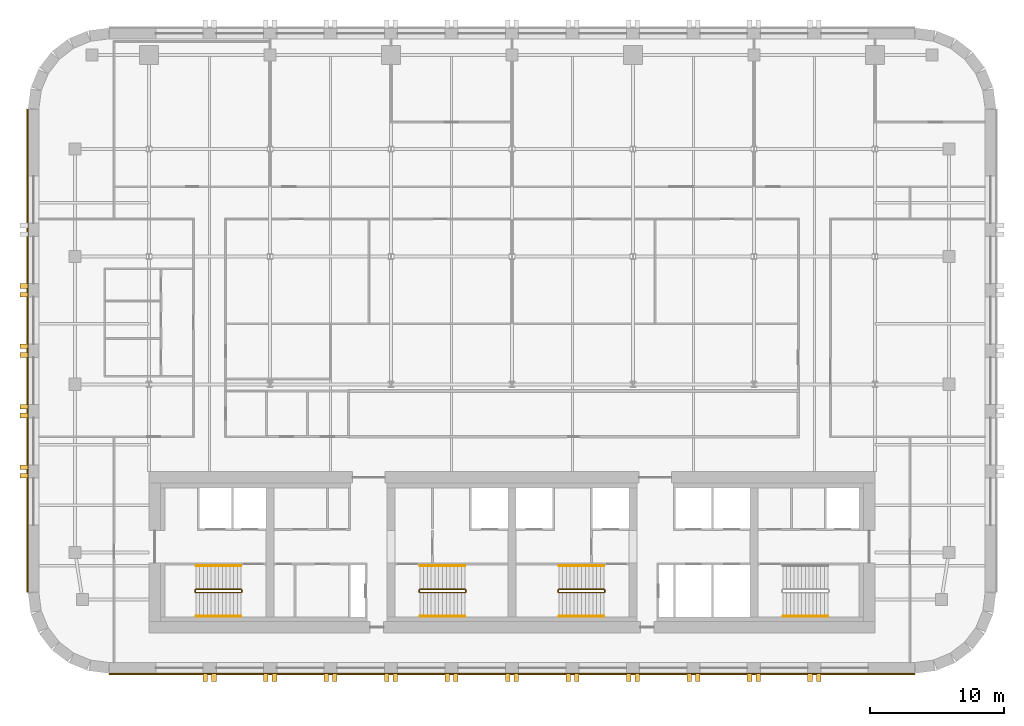
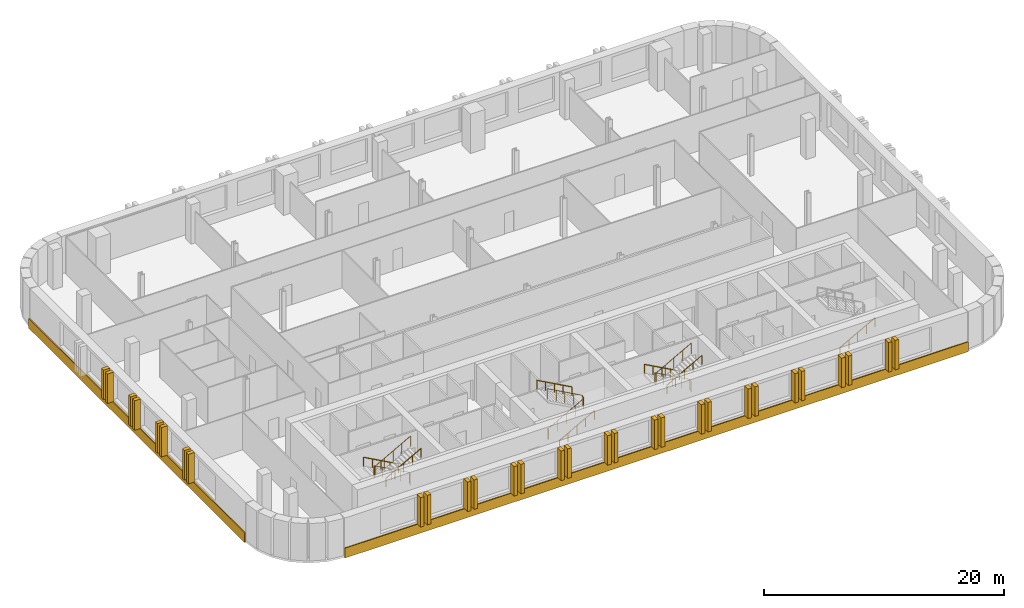
# One storey, part 8 of 9: 32 coverings, 10 railings.
"""IFC4 building model written with IfcOpenShell, lengths in metres."""

from ifc_helpers import new_model, si_unit, direction, frame, origin, origin_2d, place, context, subcontext, project, spatial, polyline, circle, outline, extrude, material, layer, layer_set, type_object, element, save


model = new_model("IFC4")

# Units and contexts
model_context = context("Model", 3, precision=1e-05, world=origin(), true_north=direction((0.0, 1.0)))
body_context = subcontext(model_context, "Body", "Model", "MODEL_VIEW")
ifc_project = project(units=[si_unit("LENGTHUNIT", "METRE"), si_unit("AREAUNIT", "SQUARE_METRE"), si_unit("VOLUMEUNIT", "CUBIC_METRE"), si_unit("PLANEANGLEUNIT", "RADIAN"), si_unit("MASSUNIT", "GRAM", prefix="KILO")], contexts=[model_context])

# Site, building, storey
site_placement = place(None, origin())
site = spatial("IfcSite", under=ifc_project, at=site_placement, CompositionType="ELEMENT")
building_placement = place(site_placement, origin())
building = spatial("IfcBuilding", under=site, at=building_placement, Name="Zellij Exchange Tower", CompositionType="ELEMENT")
storey_placement = place(building_placement, frame((0.0, 0.0, 184.5)))
storey = spatial("IfcBuildingStorey", under=building, at=storey_placement, Name="L42", CompositionType="ELEMENT", Elevation=184.5)

# Railings
ifc_material_1 = material(Name="Stainless steel", Category="steel")
railing_type_1 = type_object("IfcRailingType", Name="CORE-RG stair guard", PredefinedType="GUARDRAIL", material=ifc_material_1)
railing_1_placement = place(storey_placement, frame((-20.10009765625, -10.800048828125, 0.0)))
element("IfcRailing", 1, at=railing_1_placement, inside=storey, type_object=railing_type_1, Name="ST1 stair guard L42", PredefinedType="GUARDRAIL", context=body_context, shape_type="SweptSolid", body=[
    extrude(circle(Radius=0.02392578125, at=origin_2d()), frame((0.0, 0.0, 1.076171875), z_axis=(0.0, -1.0, 0.0), x_axis=(1.0, 0.0, 0.0)), (0.0, 0.0, 1.0), 0.14990234375),
    extrude(circle(Radius=0.02392578125, at=origin_2d()), frame((0.0, -0.14990234375, 1.076171875), z_axis=(-0.193691321961, 0.777613689637, 0.598164376644), x_axis=(-0.970351222016, -0.241699205484, 0.0)), (0.0, 0.0, 1.0), 0.257080078125),
    extrude(circle(Radius=0.02392578125, at=origin_2d()), frame((-0.0498046875, 0.050048828125, 1.22998046875), z_axis=(-0.876421534553, 0.0, 0.481544695509), x_axis=(0.0, -1.0, 0.0)), (0.0, 0.0, 1.0), 3.833984375),
    extrude(circle(Radius=0.02392578125, at=origin_2d()), frame((-3.409912109375, 0.050048828125, 3.076171875), z_axis=(-0.707106781187, -0.707106781187, 0.0), x_axis=(0.707106781187, -0.707106781187, 0.0)), (0.0, 0.0, 1.0), 0.07080078125),
    extrude(circle(Radius=0.02392578125, at=origin_2d()), frame((-3.4599609375, 0.0, 3.076171875), z_axis=(0.0, -1.0, 0.0), x_axis=(1.0, 0.0, 0.0)), (0.0, 0.0, 1.0), 0.14990234375),
    extrude(circle(Radius=0.02392578125, at=origin_2d()), frame((-3.4599609375, -0.14990234375, 3.076171875), z_axis=(0.295599637079, -0.295599637079, 0.908428152975), x_axis=(0.707106781187, 0.707106781187, 0.0)), (0.0, 0.0, 1.0), 0.16943359375),
    extrude(circle(Radius=0.02392578125, at=origin_2d()), frame((-3.409912109375, -0.199951171875, 3.22998046875), z_axis=(0.876421534553, 0.0, 0.481544695509), x_axis=(0.0, 1.0, 0.0)), (0.0, 0.0, 1.0), 3.833984375),
    extrude(circle(Radius=0.02099609375, at=origin_2d()), origin(), (0.0, 0.0, 1.0), 1.052001953125),
    extrude(circle(Radius=0.02099609375, at=origin_2d()), frame((0.0, -0.14990234375, 0.0)), (0.0, 0.0, 1.0), 1.052001953125),
    extrude(circle(Radius=0.02099609375, at=origin_2d()), frame((-0.0498046875, 0.050048828125, 0.15380859375)), (0.0, 0.0, 1.0), 1.052001953125),
    extrude(circle(Radius=0.02099609375, at=origin_2d()), frame((-0.889892578125, 0.050048828125, 0.615234375)), (0.0, 0.0, 1.0), 1.052001953125),
    extrude(circle(Radius=0.02099609375, at=origin_2d()), frame((-1.72998046875, 0.050048828125, 1.076904296875)), (0.0, 0.0, 1.0), 1.052001953125),
    extrude(circle(Radius=0.02099609375, at=origin_2d()), frame((-2.56982421875, 0.050048828125, 1.53857421875)), (0.0, 0.0, 1.0), 1.052001953125),
    extrude(circle(Radius=0.02099609375, at=origin_2d()), frame((-3.409912109375, 0.050048828125, 2.0)), (0.0, 0.0, 1.0), 1.052001953125),
    extrude(circle(Radius=0.02099609375, at=origin_2d()), frame((-3.4599609375, 0.0, 2.0)), (0.0, 0.0, 1.0), 1.052001953125),
    extrude(circle(Radius=0.02099609375, at=origin_2d()), frame((-3.4599609375, -0.14990234375, 2.0)), (0.0, 0.0, 1.0), 1.052001953125),
    extrude(circle(Radius=0.02099609375, at=origin_2d()), frame((-3.409912109375, -0.199951171875, 2.15380859375)), (0.0, 0.0, 1.0), 1.052001953125),
    extrude(circle(Radius=0.02099609375, at=origin_2d()), frame((-2.56982421875, -0.199951171875, 2.615234375)), (0.0, 0.0, 1.0), 1.052001953125),
    extrude(circle(Radius=0.02099609375, at=origin_2d()), frame((-1.72998046875, -0.199951171875, 3.076904296875)), (0.0, 0.0, 1.0), 1.052001953125),
    extrude(circle(Radius=0.02099609375, at=origin_2d()), frame((-0.889892578125, -0.199951171875, 3.53857421875)), (0.0, 0.0, 1.0), 1.052001953125),
    extrude(circle(Radius=0.02099609375, at=origin_2d()), frame((-0.0498046875, -0.199951171875, 4.0)), (0.0, 0.0, 1.0), 1.052001953125),
])
railing_2_placement = place(storey_placement, frame((-6.89990234375, -10.949951171875, 0.0)))
element("IfcRailing", 2, at=railing_2_placement, inside=storey, type_object=railing_type_1, Name="ST2 stair guard L42", PredefinedType="GUARDRAIL", context=body_context, shape_type="SweptSolid", body=[
    extrude(circle(Radius=0.02392578125, at=origin_2d()), frame((0.0, 0.0, 1.076171875), z_axis=(0.0, 1.0, 0.0), x_axis=(-1.0, 0.0, 0.0)), (0.0, 0.0, 1.0), 0.14990234375),
    extrude(circle(Radius=0.02392578125, at=origin_2d()), frame((0.0, 0.14990234375, 1.076171875), z_axis=(0.193691321961, -0.777613689637, 0.598164376644), x_axis=(0.970351222016, 0.241699205484, 0.0)), (0.0, 0.0, 1.0), 0.257080078125),
    extrude(circle(Radius=0.02392578125, at=origin_2d()), frame((0.0498046875, -0.050048828125, 1.22998046875), z_axis=(0.876421534553, 0.0, 0.481544695509), x_axis=(0.0, 1.0, 0.0)), (0.0, 0.0, 1.0), 3.833984375),
    extrude(circle(Radius=0.02392578125, at=origin_2d()), frame((3.409912109375, -0.050048828125, 3.076171875), z_axis=(0.707106781187, 0.707106781187, 0.0), x_axis=(-0.707106781187, 0.707106781187, 0.0)), (0.0, 0.0, 1.0), 0.07080078125),
    extrude(circle(Radius=0.02392578125, at=origin_2d()), frame((3.4599609375, 0.0, 3.076171875), z_axis=(0.0, 1.0, 0.0), x_axis=(-1.0, 0.0, 0.0)), (0.0, 0.0, 1.0), 0.14990234375),
    extrude(circle(Radius=0.02392578125, at=origin_2d()), frame((3.4599609375, 0.14990234375, 3.076171875), z_axis=(-0.295599637079, 0.295599637079, 0.908428152975), x_axis=(-0.707106781187, -0.707106781187, 0.0)), (0.0, 0.0, 1.0), 0.16943359375),
    extrude(circle(Radius=0.02392578125, at=origin_2d()), frame((3.409912109375, 0.199951171875, 3.22998046875), z_axis=(-0.876421534553, 0.0, 0.481544695509), x_axis=(0.0, -1.0, 0.0)), (0.0, 0.0, 1.0), 3.833984375),
    extrude(circle(Radius=0.02099609375, at=origin_2d()), origin(), (0.0, 0.0, 1.0), 1.052001953125),
    extrude(circle(Radius=0.02099609375, at=origin_2d()), frame((0.0, 0.14990234375, 0.0)), (0.0, 0.0, 1.0), 1.052001953125),
    extrude(circle(Radius=0.02099609375, at=origin_2d()), frame((0.0498046875, -0.050048828125, 0.15380859375)), (0.0, 0.0, 1.0), 1.052001953125),
    extrude(circle(Radius=0.02099609375, at=origin_2d()), frame((0.889892578125, -0.050048828125, 0.615234375)), (0.0, 0.0, 1.0), 1.052001953125),
    extrude(circle(Radius=0.02099609375, at=origin_2d()), frame((1.72998046875, -0.050048828125, 1.076904296875)), (0.0, 0.0, 1.0), 1.052001953125),
    extrude(circle(Radius=0.02099609375, at=origin_2d()), frame((2.56982421875, -0.050048828125, 1.53857421875)), (0.0, 0.0, 1.0), 1.052001953125),
    extrude(circle(Radius=0.02099609375, at=origin_2d()), frame((3.409912109375, -0.050048828125, 2.0)), (0.0, 0.0, 1.0), 1.052001953125),
    extrude(circle(Radius=0.02099609375, at=origin_2d()), frame((3.4599609375, 0.0, 2.0)), (0.0, 0.0, 1.0), 1.052001953125),
    extrude(circle(Radius=0.02099609375, at=origin_2d()), frame((3.4599609375, 0.14990234375, 2.0)), (0.0, 0.0, 1.0), 1.052001953125),
    extrude(circle(Radius=0.02099609375, at=origin_2d()), frame((3.409912109375, 0.199951171875, 2.15380859375)), (0.0, 0.0, 1.0), 1.052001953125),
    extrude(circle(Radius=0.02099609375, at=origin_2d()), frame((2.56982421875, 0.199951171875, 2.615234375)), (0.0, 0.0, 1.0), 1.052001953125),
    extrude(circle(Radius=0.02099609375, at=origin_2d()), frame((1.72998046875, 0.199951171875, 3.076904296875)), (0.0, 0.0, 1.0), 1.052001953125),
    extrude(circle(Radius=0.02099609375, at=origin_2d()), frame((0.889892578125, 0.199951171875, 3.53857421875)), (0.0, 0.0, 1.0), 1.052001953125),
    extrude(circle(Radius=0.02099609375, at=origin_2d()), frame((0.0498046875, 0.199951171875, 4.0)), (0.0, 0.0, 1.0), 1.052001953125),
])
railing_3_placement = place(storey_placement, frame((6.89990234375, -10.800048828125, 0.0)))
element("IfcRailing", 3, at=railing_3_placement, inside=storey, type_object=railing_type_1, Name="ST3 stair guard L42", PredefinedType="GUARDRAIL", context=body_context, shape_type="SweptSolid", body=[
    extrude(circle(Radius=0.02392578125, at=origin_2d()), frame((0.0, 0.0, 1.076171875), z_axis=(0.0, -1.0, 0.0), x_axis=(1.0, 0.0, 0.0)), (0.0, 0.0, 1.0), 0.14990234375),
    extrude(circle(Radius=0.02392578125, at=origin_2d()), frame((0.0, -0.14990234375, 1.076171875), z_axis=(-0.193691321961, 0.777613689637, 0.598164376644), x_axis=(-0.970351222016, -0.241699205484, 0.0)), (0.0, 0.0, 1.0), 0.257080078125),
    extrude(circle(Radius=0.02392578125, at=origin_2d()), frame((-0.0498046875, 0.050048828125, 1.22998046875), z_axis=(-0.876421534553, 0.0, 0.481544695509), x_axis=(0.0, -1.0, 0.0)), (0.0, 0.0, 1.0), 3.833984375),
    extrude(circle(Radius=0.02392578125, at=origin_2d()), frame((-3.409912109375, 0.050048828125, 3.076171875), z_axis=(-0.707106781187, -0.707106781187, 0.0), x_axis=(0.707106781187, -0.707106781187, 0.0)), (0.0, 0.0, 1.0), 0.07080078125),
    extrude(circle(Radius=0.02392578125, at=origin_2d()), frame((-3.4599609375, 0.0, 3.076171875), z_axis=(0.0, -1.0, 0.0), x_axis=(1.0, 0.0, 0.0)), (0.0, 0.0, 1.0), 0.14990234375),
    extrude(circle(Radius=0.02392578125, at=origin_2d()), frame((-3.4599609375, -0.14990234375, 3.076171875), z_axis=(0.295599637079, -0.295599637079, 0.908428152975), x_axis=(0.707106781187, 0.707106781187, 0.0)), (0.0, 0.0, 1.0), 0.16943359375),
    extrude(circle(Radius=0.02392578125, at=origin_2d()), frame((-3.409912109375, -0.199951171875, 3.22998046875), z_axis=(0.876421534553, 0.0, 0.481544695509), x_axis=(0.0, 1.0, 0.0)), (0.0, 0.0, 1.0), 3.833984375),
    extrude(circle(Radius=0.02099609375, at=origin_2d()), origin(), (0.0, 0.0, 1.0), 1.052001953125),
    extrude(circle(Radius=0.02099609375, at=origin_2d()), frame((0.0, -0.14990234375, 0.0)), (0.0, 0.0, 1.0), 1.052001953125),
    extrude(circle(Radius=0.02099609375, at=origin_2d()), frame((-0.0498046875, 0.050048828125, 0.15380859375)), (0.0, 0.0, 1.0), 1.052001953125),
    extrude(circle(Radius=0.02099609375, at=origin_2d()), frame((-0.889892578125, 0.050048828125, 0.615234375)), (0.0, 0.0, 1.0), 1.052001953125),
    extrude(circle(Radius=0.02099609375, at=origin_2d()), frame((-1.72998046875, 0.050048828125, 1.076904296875)), (0.0, 0.0, 1.0), 1.052001953125),
    extrude(circle(Radius=0.02099609375, at=origin_2d()), frame((-2.56982421875, 0.050048828125, 1.53857421875)), (0.0, 0.0, 1.0), 1.052001953125),
    extrude(circle(Radius=0.02099609375, at=origin_2d()), frame((-3.409912109375, 0.050048828125, 2.0)), (0.0, 0.0, 1.0), 1.052001953125),
    extrude(circle(Radius=0.02099609375, at=origin_2d()), frame((-3.4599609375, 0.0, 2.0)), (0.0, 0.0, 1.0), 1.052001953125),
    extrude(circle(Radius=0.02099609375, at=origin_2d()), frame((-3.4599609375, -0.14990234375, 2.0)), (0.0, 0.0, 1.0), 1.052001953125),
    extrude(circle(Radius=0.02099609375, at=origin_2d()), frame((-3.409912109375, -0.199951171875, 2.15380859375)), (0.0, 0.0, 1.0), 1.052001953125),
    extrude(circle(Radius=0.02099609375, at=origin_2d()), frame((-2.56982421875, -0.199951171875, 2.615234375)), (0.0, 0.0, 1.0), 1.052001953125),
    extrude(circle(Radius=0.02099609375, at=origin_2d()), frame((-1.72998046875, -0.199951171875, 3.076904296875)), (0.0, 0.0, 1.0), 1.052001953125),
    extrude(circle(Radius=0.02099609375, at=origin_2d()), frame((-0.889892578125, -0.199951171875, 3.53857421875)), (0.0, 0.0, 1.0), 1.052001953125),
    extrude(circle(Radius=0.02099609375, at=origin_2d()), frame((-0.0498046875, -0.199951171875, 4.0)), (0.0, 0.0, 1.0), 1.052001953125),
])
railing_type_2 = type_object("IfcRailingType", Name="CORE-RH stair handrail", PredefinedType="HANDRAIL", material=ifc_material_1)
railing_4_placement = place(storey_placement, frame((-20.14990234375, -9.0, 0.15380859375)))
element("IfcRailing", 4, at=railing_4_placement, inside=storey, type_object=railing_type_2, Name="ST1 stair handrail L42", PredefinedType="HANDRAIL", context=body_context, shape_type="SweptSolid", body=[
    extrude(circle(Radius=0.02392578125, at=origin_2d()), frame((0.0, 0.0, 0.8759765625), z_axis=(-0.876421534553, 0.0, 0.481544695509), x_axis=(0.0, -1.0, 0.0)), (0.0, 0.0, 1.0), 3.833984375),
    extrude(circle(Radius=0.02099609375, at=origin_2d()), origin(), (0.0, 0.0, 1.0), 0.851806640625),
    extrude(circle(Radius=0.02099609375, at=origin_2d()), frame((-0.840087890625, 0.0, 0.46142578125)), (0.0, 0.0, 1.0), 0.851806640625),
    extrude(circle(Radius=0.02099609375, at=origin_2d()), frame((-1.68017578125, 0.0, 0.923095703125)), (0.0, 0.0, 1.0), 0.851806640625),
    extrude(circle(Radius=0.02099609375, at=origin_2d()), frame((-2.52001953125, 0.0, 1.384765625)), (0.0, 0.0, 1.0), 0.851806640625),
    extrude(circle(Radius=0.02099609375, at=origin_2d()), frame((-3.360107421875, 0.0, 1.84619140625)), (0.0, 0.0, 1.0), 0.851806640625),
])
for number, where, name in (
    (5, (-23.510009765625, -12.75, 2.15380859375), "ST1 stair handrail L42"),
    (6, (-6.85009765625, -12.75, 0.15380859375), "ST2 stair handrail L42"),
):
    element("IfcRailing", number, at=place(storey_placement, frame(where)), inside=storey, type_object=railing_type_2, Name=name, PredefinedType="HANDRAIL", context=body_context, shape_type="SweptSolid", body=[
        extrude(circle(Radius=0.02392578125, at=origin_2d()), frame((0.0, 0.0, 0.8759765625), z_axis=(0.876421534553, 0.0, 0.481544695509), x_axis=(0.0, 1.0, 0.0)), (0.0, 0.0, 1.0), 3.833984375),
        extrude(circle(Radius=0.02099609375, at=origin_2d()), origin(), (0.0, 0.0, 1.0), 0.851806640625),
        extrude(circle(Radius=0.02099609375, at=origin_2d()), frame((0.840087890625, 0.0, 0.46142578125)), (0.0, 0.0, 1.0), 0.851806640625),
        extrude(circle(Radius=0.02099609375, at=origin_2d()), frame((1.68017578125, 0.0, 0.923095703125)), (0.0, 0.0, 1.0), 0.851806640625),
        extrude(circle(Radius=0.02099609375, at=origin_2d()), frame((2.52001953125, 0.0, 1.384765625)), (0.0, 0.0, 1.0), 0.851806640625),
        extrude(circle(Radius=0.02099609375, at=origin_2d()), frame((3.360107421875, 0.0, 1.84619140625)), (0.0, 0.0, 1.0), 0.851806640625),
    ])
for number, where, name in (
    (7, (-3.489990234375, -9.0, 2.15380859375), "ST2 stair handrail L42"),
    (8, (6.85009765625, -9.0, 0.15380859375), "ST3 stair handrail L42"),
):
    element("IfcRailing", number, at=place(storey_placement, frame(where)), inside=storey, type_object=railing_type_2, Name=name, PredefinedType="HANDRAIL", context=body_context, shape_type="SweptSolid", body=[
        extrude(circle(Radius=0.02392578125, at=origin_2d()), frame((0.0, 0.0, 0.8759765625), z_axis=(-0.876421534553, 0.0, 0.481544695509), x_axis=(0.0, -1.0, 0.0)), (0.0, 0.0, 1.0), 3.833984375),
        extrude(circle(Radius=0.02099609375, at=origin_2d()), origin(), (0.0, 0.0, 1.0), 0.851806640625),
        extrude(circle(Radius=0.02099609375, at=origin_2d()), frame((-0.840087890625, 0.0, 0.46142578125)), (0.0, 0.0, 1.0), 0.851806640625),
        extrude(circle(Radius=0.02099609375, at=origin_2d()), frame((-1.68017578125, 0.0, 0.923095703125)), (0.0, 0.0, 1.0), 0.851806640625),
        extrude(circle(Radius=0.02099609375, at=origin_2d()), frame((-2.52001953125, 0.0, 1.384765625)), (0.0, 0.0, 1.0), 0.851806640625),
        extrude(circle(Radius=0.02099609375, at=origin_2d()), frame((-3.360107421875, 0.0, 1.84619140625)), (0.0, 0.0, 1.0), 0.851806640625),
    ])
for number, where, name in (
    (9, (3.489990234375, -12.75, 2.15380859375), "ST3 stair handrail L42"),
    (10, (20.14990234375, -12.75, 0.15380859375), "ST4 stair handrail L42"),
):
    element("IfcRailing", number, at=place(storey_placement, frame(where)), inside=storey, type_object=railing_type_2, Name=name, PredefinedType="HANDRAIL", context=body_context, shape_type="SweptSolid", body=[
        extrude(circle(Radius=0.02392578125, at=origin_2d()), frame((0.0, 0.0, 0.8759765625), z_axis=(0.876421534553, 0.0, 0.481544695509), x_axis=(0.0, 1.0, 0.0)), (0.0, 0.0, 1.0), 3.833984375),
        extrude(circle(Radius=0.02099609375, at=origin_2d()), origin(), (0.0, 0.0, 1.0), 0.851806640625),
        extrude(circle(Radius=0.02099609375, at=origin_2d()), frame((0.840087890625, 0.0, 0.46142578125)), (0.0, 0.0, 1.0), 0.851806640625),
        extrude(circle(Radius=0.02099609375, at=origin_2d()), frame((1.68017578125, 0.0, 0.923095703125)), (0.0, 0.0, 1.0), 0.851806640625),
        extrude(circle(Radius=0.02099609375, at=origin_2d()), frame((2.52001953125, 0.0, 1.384765625)), (0.0, 0.0, 1.0), 0.851806640625),
        extrude(circle(Radius=0.02099609375, at=origin_2d()), frame((3.360107421875, 0.0, 1.84619140625)), (0.0, 0.0, 1.0), 0.851806640625),
    ])

# Coverings
ifc_material_2 = material(Name="Limestone cladding", Category="masonry")
covering_type_1 = type_object("IfcCoveringType", Name="ENV-CV3 Stone pier 350x600", PredefinedType="CLADDING", material=ifc_material_2)
covering_1_placement = place(storey_placement, frame((0.0, 0.0, 0.800048828125)))
element("IfcCovering", 11, at=covering_1_placement, inside=storey, type_object=covering_type_1, Name="Stone pier", PredefinedType="CLADDING", context=body_context, shape_type="SweptSolid", body=[
    extrude(outline(polyline([(-23.0, -17.0), (-22.64990234375, -17.0), (-22.64990234375, -17.60009765625), (-23.0, -17.60009765625), (-23.0, -17.0)])), origin(), (0.0, 0.0, 1.0), 3.0),
])
covering_2_placement = place(storey_placement, frame((0.0, 0.0, 0.800048828125)))
element("IfcCovering", 12, at=covering_2_placement, inside=storey, type_object=covering_type_1, Name="Stone pier", PredefinedType="CLADDING", context=body_context, shape_type="SweptSolid", body=[
    extrude(outline(polyline([(-22.35009765625, -17.0), (-22.0, -17.0), (-22.0, -17.60009765625), (-22.35009765625, -17.60009765625), (-22.35009765625, -17.0)])), origin(), (0.0, 0.0, 1.0), 3.0),
])
covering_3_placement = place(storey_placement, frame((0.0, 0.0, 0.800048828125)))
element("IfcCovering", 13, at=covering_3_placement, inside=storey, type_object=covering_type_1, Name="Stone pier", PredefinedType="CLADDING", context=body_context, shape_type="SweptSolid", body=[
    extrude(outline(polyline([(-18.5, -17.0), (-18.14990234375, -17.0), (-18.14990234375, -17.60009765625), (-18.5, -17.60009765625), (-18.5, -17.0)])), origin(), (0.0, 0.0, 1.0), 3.0),
])
covering_4_placement = place(storey_placement, frame((0.0, 0.0, 0.800048828125)))
element("IfcCovering", 14, at=covering_4_placement, inside=storey, type_object=covering_type_1, Name="Stone pier", PredefinedType="CLADDING", context=body_context, shape_type="SweptSolid", body=[
    extrude(outline(polyline([(-17.85009765625, -17.0), (-17.5, -17.0), (-17.5, -17.60009765625), (-17.85009765625, -17.60009765625), (-17.85009765625, -17.0)])), origin(), (0.0, 0.0, 1.0), 3.0),
])
covering_5_placement = place(storey_placement, frame((0.0, 0.0, 0.800048828125)))
element("IfcCovering", 15, at=covering_5_placement, inside=storey, type_object=covering_type_1, Name="Stone pier", PredefinedType="CLADDING", context=body_context, shape_type="SweptSolid", body=[
    extrude(outline(polyline([(-14.0, -17.0), (-13.64990234375, -17.0), (-13.64990234375, -17.60009765625), (-14.0, -17.60009765625), (-14.0, -17.0)])), origin(), (0.0, 0.0, 1.0), 3.0),
])
covering_6_placement = place(storey_placement, frame((0.0, 0.0, 0.800048828125)))
element("IfcCovering", 16, at=covering_6_placement, inside=storey, type_object=covering_type_1, Name="Stone pier", PredefinedType="CLADDING", context=body_context, shape_type="SweptSolid", body=[
    extrude(outline(polyline([(-13.35009765625, -17.0), (-13.0, -17.0), (-13.0, -17.60009765625), (-13.35009765625, -17.60009765625), (-13.35009765625, -17.0)])), origin(), (0.0, 0.0, 1.0), 3.0),
])
covering_7_placement = place(storey_placement, frame((0.0, 0.0, 0.800048828125)))
element("IfcCovering", 17, at=covering_7_placement, inside=storey, type_object=covering_type_1, Name="Stone pier", PredefinedType="CLADDING", context=body_context, shape_type="SweptSolid", body=[
    extrude(outline(polyline([(-9.5, -17.0), (-9.14990234375, -17.0), (-9.14990234375, -17.60009765625), (-9.5, -17.60009765625), (-9.5, -17.0)])), origin(), (0.0, 0.0, 1.0), 3.0),
])
covering_8_placement = place(storey_placement, frame((0.0, 0.0, 0.800048828125)))
element("IfcCovering", 18, at=covering_8_placement, inside=storey, type_object=covering_type_1, Name="Stone pier", PredefinedType="CLADDING", context=body_context, shape_type="SweptSolid", body=[
    extrude(outline(polyline([(-8.85009765625, -17.0), (-8.5, -17.0), (-8.5, -17.60009765625), (-8.85009765625, -17.60009765625), (-8.85009765625, -17.0)])), origin(), (0.0, 0.0, 1.0), 3.0),
])
covering_9_placement = place(storey_placement, frame((0.0, 0.0, 0.800048828125)))
element("IfcCovering", 19, at=covering_9_placement, inside=storey, type_object=covering_type_1, Name="Stone pier", PredefinedType="CLADDING", context=body_context, shape_type="SweptSolid", body=[
    extrude(outline(polyline([(-5.0, -17.0), (-4.64990234375, -17.0), (-4.64990234375, -17.60009765625), (-5.0, -17.60009765625), (-5.0, -17.0)])), origin(), (0.0, 0.0, 1.0), 3.0),
])
covering_10_placement = place(storey_placement, frame((0.0, 0.0, 0.800048828125)))
element("IfcCovering", 20, at=covering_10_placement, inside=storey, type_object=covering_type_1, Name="Stone pier", PredefinedType="CLADDING", context=body_context, shape_type="SweptSolid", body=[
    extrude(outline(polyline([(-4.35009765625, -17.0), (-4.0, -17.0), (-4.0, -17.60009765625), (-4.35009765625, -17.60009765625), (-4.35009765625, -17.0)])), origin(), (0.0, 0.0, 1.0), 3.0),
])
covering_11_placement = place(storey_placement, frame((0.0, 0.0, 0.800048828125)))
element("IfcCovering", 21, at=covering_11_placement, inside=storey, type_object=covering_type_1, Name="Stone pier", PredefinedType="CLADDING", context=body_context, shape_type="SweptSolid", body=[
    extrude(outline(polyline([(-0.5, -17.0), (-0.14990234375, -17.0), (-0.14990234375, -17.60009765625), (-0.5, -17.60009765625), (-0.5, -17.0)])), origin(), (0.0, 0.0, 1.0), 3.0),
])
covering_12_placement = place(storey_placement, frame((0.0, 0.0, 0.800048828125)))
element("IfcCovering", 22, at=covering_12_placement, inside=storey, type_object=covering_type_1, Name="Stone pier", PredefinedType="CLADDING", context=body_context, shape_type="SweptSolid", body=[
    extrude(outline(polyline([(0.14990234375, -17.0), (0.5, -17.0), (0.5, -17.60009765625), (0.14990234375, -17.60009765625), (0.14990234375, -17.0)])), origin(), (0.0, 0.0, 1.0), 3.0),
])
covering_13_placement = place(storey_placement, frame((0.0, 0.0, 0.800048828125)))
element("IfcCovering", 23, at=covering_13_placement, inside=storey, type_object=covering_type_1, Name="Stone pier", PredefinedType="CLADDING", context=body_context, shape_type="SweptSolid", body=[
    extrude(outline(polyline([(4.0, -17.0), (4.35009765625, -17.0), (4.35009765625, -17.60009765625), (4.0, -17.60009765625), (4.0, -17.0)])), origin(), (0.0, 0.0, 1.0), 3.0),
])
covering_14_placement = place(storey_placement, frame((0.0, 0.0, 0.800048828125)))
element("IfcCovering", 24, at=covering_14_placement, inside=storey, type_object=covering_type_1, Name="Stone pier", PredefinedType="CLADDING", context=body_context, shape_type="SweptSolid", body=[
    extrude(outline(polyline([(4.64990234375, -17.0), (5.0, -17.0), (5.0, -17.60009765625), (4.64990234375, -17.60009765625), (4.64990234375, -17.0)])), origin(), (0.0, 0.0, 1.0), 3.0),
])
covering_15_placement = place(storey_placement, frame((0.0, 0.0, 0.800048828125)))
element("IfcCovering", 25, at=covering_15_placement, inside=storey, type_object=covering_type_1, Name="Stone pier", PredefinedType="CLADDING", context=body_context, shape_type="SweptSolid", body=[
    extrude(outline(polyline([(8.5, -17.0), (8.85009765625, -17.0), (8.85009765625, -17.60009765625), (8.5, -17.60009765625), (8.5, -17.0)])), origin(), (0.0, 0.0, 1.0), 3.0),
])
covering_16_placement = place(storey_placement, frame((0.0, 0.0, 0.800048828125)))
element("IfcCovering", 26, at=covering_16_placement, inside=storey, type_object=covering_type_1, Name="Stone pier", PredefinedType="CLADDING", context=body_context, shape_type="SweptSolid", body=[
    extrude(outline(polyline([(9.14990234375, -17.0), (9.5, -17.0), (9.5, -17.60009765625), (9.14990234375, -17.60009765625), (9.14990234375, -17.0)])), origin(), (0.0, 0.0, 1.0), 3.0),
])
covering_17_placement = place(storey_placement, frame((0.0, 0.0, 0.800048828125)))
element("IfcCovering", 27, at=covering_17_placement, inside=storey, type_object=covering_type_1, Name="Stone pier", PredefinedType="CLADDING", context=body_context, shape_type="SweptSolid", body=[
    extrude(outline(polyline([(13.0, -17.0), (13.35009765625, -17.0), (13.35009765625, -17.60009765625), (13.0, -17.60009765625), (13.0, -17.0)])), origin(), (0.0, 0.0, 1.0), 3.0),
])
covering_18_placement = place(storey_placement, frame((0.0, 0.0, 0.800048828125)))
element("IfcCovering", 28, at=covering_18_placement, inside=storey, type_object=covering_type_1, Name="Stone pier", PredefinedType="CLADDING", context=body_context, shape_type="SweptSolid", body=[
    extrude(outline(polyline([(13.64990234375, -17.0), (14.0, -17.0), (14.0, -17.60009765625), (13.64990234375, -17.60009765625), (13.64990234375, -17.0)])), origin(), (0.0, 0.0, 1.0), 3.0),
])
covering_19_placement = place(storey_placement, frame((0.0, 0.0, 0.800048828125)))
element("IfcCovering", 29, at=covering_19_placement, inside=storey, type_object=covering_type_1, Name="Stone pier", PredefinedType="CLADDING", context=body_context, shape_type="SweptSolid", body=[
    extrude(outline(polyline([(17.5, -17.0), (17.85009765625, -17.0), (17.85009765625, -17.60009765625), (17.5, -17.60009765625), (17.5, -17.0)])), origin(), (0.0, 0.0, 1.0), 3.0),
])
covering_20_placement = place(storey_placement, frame((0.0, 0.0, 0.800048828125)))
element("IfcCovering", 30, at=covering_20_placement, inside=storey, type_object=covering_type_1, Name="Stone pier", PredefinedType="CLADDING", context=body_context, shape_type="SweptSolid", body=[
    extrude(outline(polyline([(18.14990234375, -17.0), (18.5, -17.0), (18.5, -17.60009765625), (18.14990234375, -17.60009765625), (18.14990234375, -17.0)])), origin(), (0.0, 0.0, 1.0), 3.0),
])
covering_21_placement = place(storey_placement, frame((0.0, 0.0, 0.800048828125)))
element("IfcCovering", 31, at=covering_21_placement, inside=storey, type_object=covering_type_1, Name="Stone pier", PredefinedType="CLADDING", context=body_context, shape_type="SweptSolid", body=[
    extrude(outline(polyline([(22.0, -17.0), (22.35009765625, -17.0), (22.35009765625, -17.60009765625), (22.0, -17.60009765625), (22.0, -17.0)])), origin(), (0.0, 0.0, 1.0), 3.0),
])
covering_22_placement = place(storey_placement, frame((0.0, 0.0, 0.800048828125)))
element("IfcCovering", 32, at=covering_22_placement, inside=storey, type_object=covering_type_1, Name="Stone pier", PredefinedType="CLADDING", context=body_context, shape_type="SweptSolid", body=[
    extrude(outline(polyline([(22.64990234375, -17.0), (23.0, -17.0), (23.0, -17.60009765625), (22.64990234375, -17.60009765625), (22.64990234375, -17.0)])), origin(), (0.0, 0.0, 1.0), 3.0),
])
covering_23_placement = place(storey_placement, frame((0.0, 0.0, 0.800048828125)))
element("IfcCovering", 33, at=covering_23_placement, inside=storey, type_object=covering_type_1, Name="Stone pier", PredefinedType="CLADDING", context=body_context, shape_type="SweptSolid", body=[
    extrude(outline(polyline([(-36.0, 11.993408203125), (-36.0, 11.6435546875), (-36.60009765625, 11.6435546875), (-36.60009765625, 11.993408203125), (-36.0, 11.993408203125)])), origin(), (0.0, 0.0, 1.0), 3.0),
])
covering_24_placement = place(storey_placement, frame((0.0, 0.0, 0.800048828125)))
element("IfcCovering", 34, at=covering_24_placement, inside=storey, type_object=covering_type_1, Name="Stone pier", PredefinedType="CLADDING", context=body_context, shape_type="SweptSolid", body=[
    extrude(outline(polyline([(-36.0, 11.343505859375), (-36.0, 10.993408203125), (-36.60009765625, 10.993408203125), (-36.60009765625, 11.343505859375), (-36.0, 11.343505859375)])), origin(), (0.0, 0.0, 1.0), 3.0),
])
covering_25_placement = place(storey_placement, frame((0.0, 0.0, 0.800048828125)))
element("IfcCovering", 35, at=covering_25_placement, inside=storey, type_object=covering_type_1, Name="Stone pier", PredefinedType="CLADDING", context=body_context, shape_type="SweptSolid", body=[
    extrude(outline(polyline([(-36.0, 7.5), (-36.0, 7.14990234375), (-36.60009765625, 7.14990234375), (-36.60009765625, 7.5), (-36.0, 7.5)])), origin(), (0.0, 0.0, 1.0), 3.0),
])
covering_26_placement = place(storey_placement, frame((0.0, 0.0, 0.800048828125)))
element("IfcCovering", 36, at=covering_26_placement, inside=storey, type_object=covering_type_1, Name="Stone pier", PredefinedType="CLADDING", context=body_context, shape_type="SweptSolid", body=[
    extrude(outline(polyline([(-36.0, 6.85009765625), (-36.0, 6.5), (-36.60009765625, 6.5), (-36.60009765625, 6.85009765625), (-36.0, 6.85009765625)])), origin(), (0.0, 0.0, 1.0), 3.0),
])
covering_27_placement = place(storey_placement, frame((0.0, 0.0, 0.800048828125)))
element("IfcCovering", 37, at=covering_27_placement, inside=storey, type_object=covering_type_1, Name="Stone pier", PredefinedType="CLADDING", context=body_context, shape_type="SweptSolid", body=[
    extrude(outline(polyline([(-36.0, 3.006591796875), (-36.0, 2.656494140625), (-36.60009765625, 2.656494140625), (-36.60009765625, 3.006591796875), (-36.0, 3.006591796875)])), origin(), (0.0, 0.0, 1.0), 3.0),
])
covering_28_placement = place(storey_placement, frame((0.0, 0.0, 0.800048828125)))
element("IfcCovering", 38, at=covering_28_placement, inside=storey, type_object=covering_type_1, Name="Stone pier", PredefinedType="CLADDING", context=body_context, shape_type="SweptSolid", body=[
    extrude(outline(polyline([(-36.0, 2.356689453125), (-36.0, 2.006591796875), (-36.60009765625, 2.006591796875), (-36.60009765625, 2.356689453125), (-36.0, 2.356689453125)])), origin(), (0.0, 0.0, 1.0), 3.0),
])
covering_29_placement = place(storey_placement, frame((0.0, 0.0, 0.800048828125)))
element("IfcCovering", 39, at=covering_29_placement, inside=storey, type_object=covering_type_1, Name="Stone pier", PredefinedType="CLADDING", context=body_context, shape_type="SweptSolid", body=[
    extrude(outline(polyline([(-36.0, -1.48681640625), (-36.0, -1.8369140625), (-36.60009765625, -1.8369140625), (-36.60009765625, -1.48681640625), (-36.0, -1.48681640625)])), origin(), (0.0, 0.0, 1.0), 3.0),
])
covering_30_placement = place(storey_placement, frame((0.0, 0.0, 0.800048828125)))
element("IfcCovering", 40, at=covering_30_placement, inside=storey, type_object=covering_type_1, Name="Stone pier", PredefinedType="CLADDING", context=body_context, shape_type="SweptSolid", body=[
    extrude(outline(polyline([(-36.0, -2.136962890625), (-36.0, -2.48681640625), (-36.60009765625, -2.48681640625), (-36.60009765625, -2.136962890625), (-36.0, -2.136962890625)])), origin(), (0.0, 0.0, 1.0), 3.0),
])
ifc_layer = layer(ifc_material_2, 0.10009765625)
ifc_layer_set = layer_set([ifc_layer], Name="Limestone cladding")
covering_type_2 = type_object("IfcCoveringType", Name="ENV-CV9 Stone spandrel band 100", PredefinedType="CLADDING", material=ifc_layer_set)
covering_31_placement = place(storey_placement, frame((0.0, 0.0, -0.199951171875)))
element("IfcCovering", 41, at=covering_31_placement, inside=storey, type_object=covering_type_2, Name="Stone spandrel band", PredefinedType="CLADDING", context=body_context, shape_type="SweptSolid", body=[
    extrude(outline(polyline([(-29.973876953125, -17.0), (29.973876953125, -17.0), (29.980224609375, -17.10009765625), (-29.980224609375, -17.10009765625), (-29.973876953125, -17.0)])), origin(), (0.0, 0.0, 1.0), 1.0),
])
covering_32_placement = place(storey_placement, frame((0.0, 0.0, -0.199951171875)))
element("IfcCovering", 42, at=covering_32_placement, inside=storey, type_object=covering_type_2, Name="Stone spandrel band", PredefinedType="CLADDING", context=body_context, shape_type="SweptSolid", body=[
    extrude(outline(polyline([(-36.0, 24.973876953125), (-36.0, -10.973876953125), (-36.10009765625, -10.980224609375), (-36.10009765625, 24.980224609375), (-36.0, 24.973876953125)])), origin(), (0.0, 0.0, 1.0), 1.0),
])

save(model, "model.ifc")
